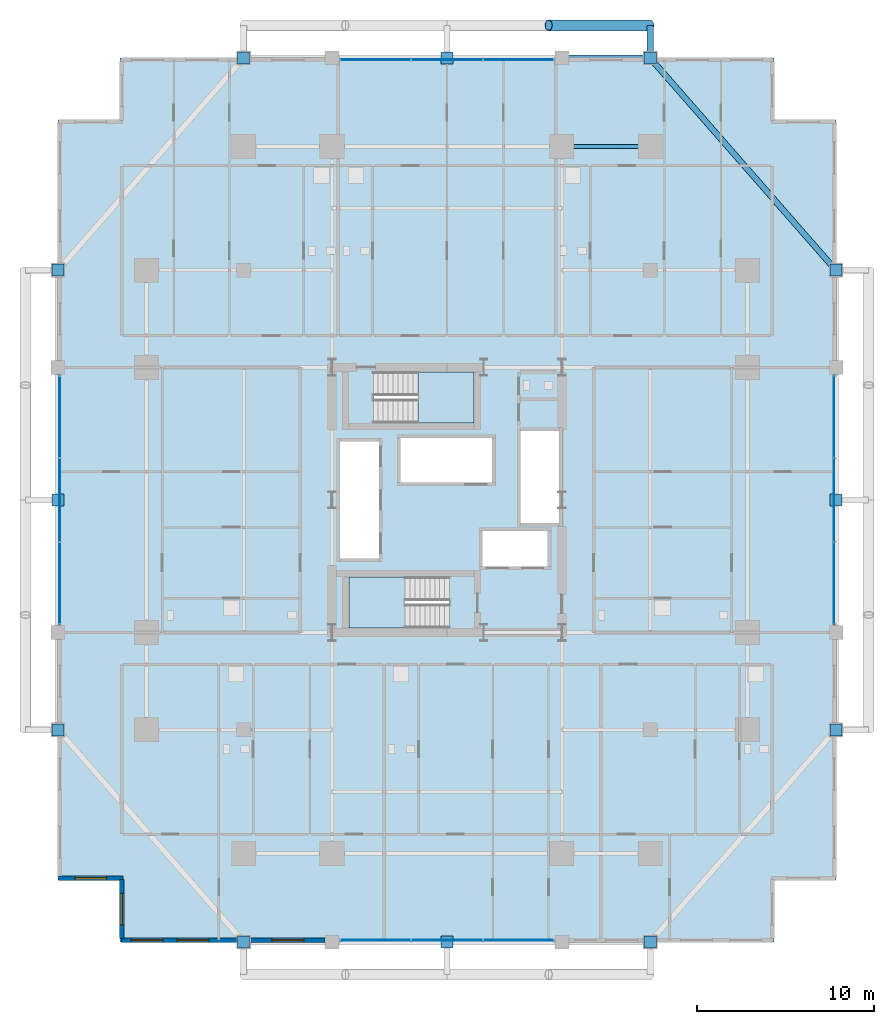
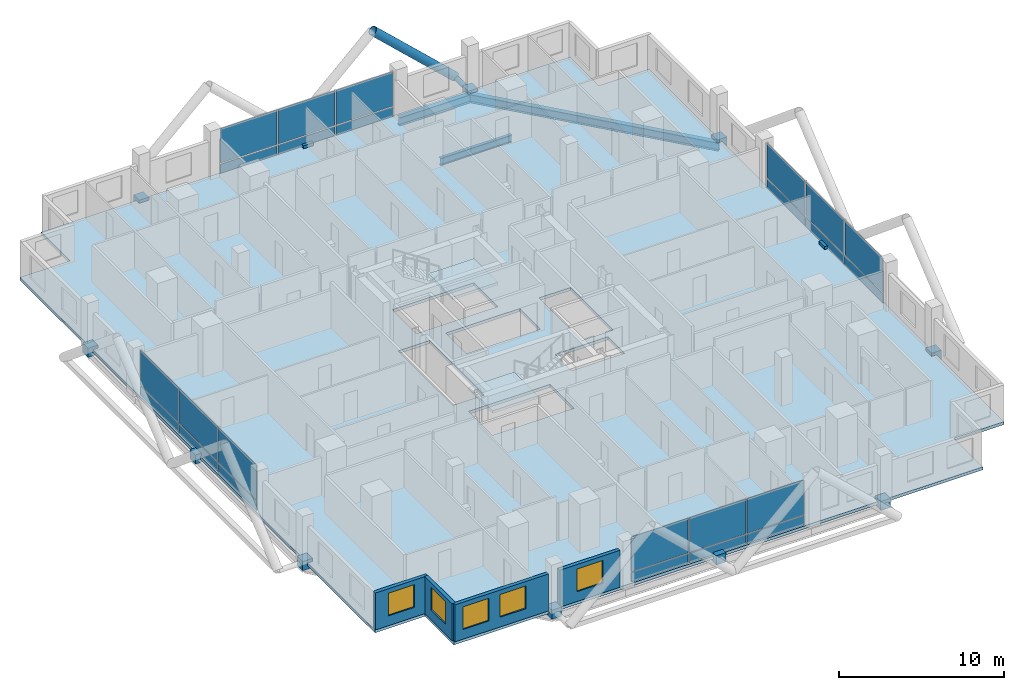
# One storey, part 20 of 28: 36 plates, 5 windows, 4 walls, 3 beams, 3 slabs, 2 members, 5 openings, 6 elements without a shape of their own.
"""IFC4 building model written with IfcOpenShell, lengths in metres."""

import ifcopenshell
import ifcopenshell.guid

model = None  # the IFC model being written
_history = None  # IfcOwnerHistory: only IFC2X3 demands one
_inside = {}  # id of a spatial element -> (the spatial element, [elements in it])
_under = {}  # id of a project, library or spatial element -> (it, [spatial elements below it])
_declared = {}  # id of a project -> (the project, [libraries it declares])
_typed = {}  # id of a type object -> (the type object, [elements of that type])
_made_of = {}  # id of a material, layer set ... -> (it, [elements and type objects made of it])


def new_model(schema):
    """Start an empty IFC model of exactly this schema.

    Asked for "IFC4X3", IfcOpenShell would pick the latest addendum, in which some entities
    have other attributes; the version numbers below select the first issue.
    IFC2X3 requires an IfcOwnerHistory on every rooted entity: one is made here for all.
    """
    global model, _history
    if schema == "IFC4X3":
        model = ifcopenshell.file(schema_version=(4, 3, 0, 0))
    else:
        model = ifcopenshell.file(schema=schema)
    _inside.clear()
    _under.clear()
    _declared.clear()
    _typed.clear()
    _made_of.clear()
    _history = None
    if model.schema == "IFC2X3":
        org = make("IfcOrganization", Name="unknown")
        user = make(
            "IfcPersonAndOrganization",
            ThePerson=make("IfcPerson", FamilyName="unknown"),
            TheOrganization=org,
        )
        app = make(
            "IfcApplication",
            ApplicationDeveloper=org,
            Version="unknown",
            ApplicationFullName="unknown",
            ApplicationIdentifier="unknown",
        )
        _history = make(
            "IfcOwnerHistory",
            OwningUser=user,
            OwningApplication=app,
            ChangeAction="ADDED",
            CreationDate=0,
        )
    return model


def make(cls, **values):
    """One entity of the class cls with the attributes given. An attribute that is None is left unset."""
    return model.create_entity(
        cls, **{name: value for name, value in values.items() if value is not None}
    )


def rooted(cls, **values):
    """An entity with a GlobalId (a new one), such as an element, a storey or a relation."""
    return make(cls, GlobalId=ifcopenshell.guid.new(), OwnerHistory=_history, **values)


def si_unit(unit_type, name, prefix=None):
    """IfcSIUnit, for example si_unit("LENGTHUNIT", "METRE", prefix="MILLI")."""
    return make("IfcSIUnit", UnitType=unit_type, Prefix=prefix, Name=name)


def assignment(units):
    """IfcUnitAssignment: the units of a project."""
    return None if units is None else make("IfcUnitAssignment", Units=units)


def point(xyz):
    """IfcCartesianPoint."""
    return None if xyz is None else make("IfcCartesianPoint", Coordinates=xyz)


def direction(xyz):
    """IfcDirection."""
    return None if xyz is None else make("IfcDirection", DirectionRatios=xyz)


def frame(location, z_axis=None, x_axis=None):
    """IfcAxis2Placement3D, a coordinate frame: its origin and axes. An axis left out is left unset."""
    return make(
        "IfcAxis2Placement3D",
        Location=point(location),
        Axis=direction(z_axis),
        RefDirection=direction(x_axis),
    )


def frame_2d(location, x_axis=None):
    """IfcAxis2Placement2D, a coordinate frame in the plane: its origin and x axis."""
    return make(
        "IfcAxis2Placement2D", Location=point(location), RefDirection=direction(x_axis)
    )


def origin():
    """The frame at (0, 0, 0) with its axes left unset."""
    return frame((0.0, 0.0, 0.0))


def origin_2d():
    """The frame at (0, 0) in the plane with its x axis left unset."""
    return frame_2d((0.0, 0.0))


def place(relative_to, where):
    """IfcLocalPlacement: puts the frame where relative to a parent placement (None: the world)."""
    return make(
        "IfcLocalPlacement", PlacementRelTo=relative_to, RelativePlacement=where
    )


def context(
    kind, dimensions, precision=None, world=None, true_north=None, identifier=None
):
    """IfcGeometricRepresentationContext, for example the 3D "Model" context."""
    return make(
        "IfcGeometricRepresentationContext",
        ContextIdentifier=identifier,
        ContextType=kind,
        CoordinateSpaceDimension=dimensions,
        Precision=precision,
        WorldCoordinateSystem=world,
        TrueNorth=true_north,
    )


def subcontext(parent, identifier, kind, view, scale=None):
    """IfcGeometricRepresentationSubContext, for example "Body" below "Model"."""
    return make(
        "IfcGeometricRepresentationSubContext",
        ContextIdentifier=identifier,
        ContextType=kind,
        ParentContext=parent,
        TargetScale=scale,
        TargetView=view,
    )


def project(units=None, contexts=None):
    """IfcProject with its units and contexts."""
    return rooted(
        "IfcProject",
        Name="project",
        RepresentationContexts=contexts,
        UnitsInContext=assignment(units),
    )


def spatial(cls, under=None, at=None, **own):
    """A site, building, storey or space (cls), placed at a placement, below another one or the project."""
    s = rooted(cls, ObjectPlacement=at, **own)
    if under is not None:
        _under.setdefault(under.id(), (under, []))[1].append(s)
    return s


def polyline(points):
    """IfcPolyline through the points."""
    return make("IfcPolyline", Points=[point(p) for p in points])


def profile(cls, at=None, kind="AREA", **sizes):
    """A parametric profile (cls). Its sizes go by their IFC names, for example OverallWidth=200.0."""
    return make(cls, ProfileType=kind, Position=at, **sizes)


def rectangle(**sizes):
    """IfcRectangleProfileDef."""
    return profile("IfcRectangleProfileDef", **sizes)


def hollow_circle(**sizes):
    """IfcCircleHollowProfileDef."""
    return profile("IfcCircleHollowProfileDef", **sizes)


def i_section(**sizes):
    """IfcIShapeProfileDef."""
    return profile("IfcIShapeProfileDef", **sizes)


def outline(outer, holes=None, kind="AREA"):
    """IfcArbitraryClosedProfileDef: a profile drawn as a closed curve; with holes, ...WithVoids."""
    if holes is None:
        return make("IfcArbitraryClosedProfileDef", ProfileType=kind, OuterCurve=outer)
    return make(
        "IfcArbitraryProfileDefWithVoids",
        ProfileType=kind,
        OuterCurve=outer,
        InnerCurves=holes,
    )


def extrude(swept, where, along, depth):
    """IfcExtrudedAreaSolid: the profile swept, set in the frame where, extruded along a direction by depth."""
    return make(
        "IfcExtrudedAreaSolid",
        SweptArea=swept,
        Position=where,
        ExtrudedDirection=direction(along),
        Depth=depth,
    )


def shape(context_of_items, identifier, shape_type, items):
    """IfcShapeRepresentation: the items that make up one representation, for example the "Body"."""
    return make(
        "IfcShapeRepresentation",
        ContextOfItems=context_of_items,
        RepresentationIdentifier=identifier,
        RepresentationType=shape_type,
        Items=items,
    )


def material(Name=None, Category=None):
    """IfcMaterial."""
    return make("IfcMaterial", Name=Name, Category=Category)


def layer(
    of_material, thickness, ventilated=None, Name=None, Category=None, Priority=None
):
    """IfcMaterialLayer: one layer of a wall or slab, of a material (None: an air gap)."""
    return make(
        "IfcMaterialLayer",
        Material=of_material,
        LayerThickness=thickness,
        IsVentilated=ventilated,
        Name=Name,
        Category=Category,
        Priority=Priority,
    )


def layer_set(layers, Name=None):
    """IfcMaterialLayerSet."""
    return make("IfcMaterialLayerSet", MaterialLayers=layers, LayerSetName=Name)


def material_profile(
    of_material, cross_section, Name=None, Category=None, Priority=None
):
    """IfcMaterialProfile: a cross section and its material."""
    return make(
        "IfcMaterialProfile",
        Name=Name,
        Material=of_material,
        Profile=cross_section,
        Priority=Priority,
        Category=Category,
    )


def profile_set(profiles, Name=None, composite=None):
    """IfcMaterialProfileSet."""
    return make(
        "IfcMaterialProfileSet",
        Name=Name,
        MaterialProfiles=profiles,
        CompositeProfile=composite,
    )


def made_of(thing, what):
    """Note that an element or type object is made of a material, layer set ...; save() writes the relation."""
    if what is not None:
        _made_of.setdefault(what.id(), (what, []))[1].append(thing)
    return thing


def type_object(cls, material=None, **own):
    """A type object (cls), such as IfcWallType, which elements share."""
    return made_of(rooted(cls, **own), material)


def element(
    cls,
    number,
    at=None,
    inside=None,
    cuts=None,
    type_object=None,
    material=None,
    context=None,
    identifier="Body",
    shape_type=None,
    held_by="IfcProductDefinitionShape",
    body=None,
    shapes=None,
    **own,
):
    """One element of the class cls, such as IfcWall. Its Tag is "e" and its number.

    at: its placement. inside: the storey or other place that contains it. cuts: it is an
    opening in that element (IfcRelVoidsElement). A single representation is given by context,
    identifier, shape_type and body (its items); several are given by shapes. held_by: the class
    of the entity that holds the representations. save() writes the other relations.
    """
    e = rooted(cls, Tag="e%d" % number, ObjectPlacement=at, **own)
    if body is not None:
        shapes = [shape(context, identifier, shape_type, body)]
    if shapes is not None:
        e.Representation = make(held_by, Representations=shapes)
    if inside is not None:
        _inside.setdefault(inside.id(), (inside, []))[1].append(e)
    if cuts is not None:
        rooted(
            "IfcRelVoidsElement", RelatingBuildingElement=cuts, RelatedOpeningElement=e
        )
    if type_object is not None:
        _typed.setdefault(type_object.id(), (type_object, []))[1].append(e)
    return made_of(e, material)


def fill(opening, filler):
    """IfcRelFillsElement: the door or window that sits in an opening."""
    return rooted(
        "IfcRelFillsElement",
        RelatingOpeningElement=opening,
        RelatedBuildingElement=filler,
    )


def aggregate(whole, parts):
    """IfcRelAggregates: a whole, such as a stair, and the parts it consists of."""
    return rooted("IfcRelAggregates", RelatingObject=whole, RelatedObjects=parts)


def save(model, path):
    """Write the relations noted so far, then the file.

    IfcRelAggregates (storeys below a building ...), IfcRelContainedInSpatialStructure (elements
    in a storey), IfcRelDefinesByType, IfcRelAssociatesMaterial and IfcRelDeclares: one each for
    every whole, place, type object, material and project.
    """
    for whole, parts in _under.values():
        aggregate(whole, parts)
    for where, things in _inside.values():
        rooted(
            "IfcRelContainedInSpatialStructure",
            RelatedElements=things,
            RelatingStructure=where,
        )
    for kind, things in _typed.values():
        rooted("IfcRelDefinesByType", RelatedObjects=things, RelatingType=kind)
    for what, things in _made_of.values():
        rooted("IfcRelAssociatesMaterial", RelatedObjects=things, RelatingMaterial=what)
    for by, libraries in _declared.values():
        rooted("IfcRelDeclares", RelatingContext=by, RelatedDefinitions=libraries)
    model.write(path)


model = new_model("IFC4")

# Units and contexts
model_context = context("Model", 3, precision=1e-05, world=origin(), true_north=direction((0.0, 1.0)))
body_context = subcontext(model_context, "Body", "Model", "MODEL_VIEW")
ifc_project = project(units=[si_unit("LENGTHUNIT", "METRE"), si_unit("AREAUNIT", "SQUARE_METRE"), si_unit("VOLUMEUNIT", "CUBIC_METRE"), si_unit("PLANEANGLEUNIT", "RADIAN"), si_unit("MASSUNIT", "GRAM", prefix="KILO")], contexts=[model_context])

# Site, building, storey
site_placement = place(None, origin())
site = spatial("IfcSite", under=ifc_project, at=site_placement, CompositionType="ELEMENT")
building_placement = place(site_placement, origin())
building = spatial("IfcBuilding", under=site, at=building_placement, Name="Barlavira Tower and Art Museum", CompositionType="ELEMENT")
storey_placement = place(building_placement, frame((0.0, 0.0, 39.60009765625)))
storey = spatial("IfcBuildingStorey", under=building, at=storey_placement, Name="L08", CompositionType="ELEMENT", Elevation=39.60009765625)

# Members
ifc_material_1 = material(Name="Steel S355", Category="steel")
ifc_material_profile_1 = material_profile(ifc_material_1, hollow_circle(Radius=0.304931640625, WallThickness=0.028076171875, at=origin_2d()), Name="CHS 610.0x28.0")
ifc_profile_set_1 = profile_set([ifc_material_profile_1], Name="Steel S355")
member_type_1 = type_object("IfcMemberType", Name="Pale-Metal Exoskeleton Diagrid Tube CHS 610x28 Steel S355", PredefinedType="BRACE", material=ifc_profile_set_1)
member_1_placement = place(storey_placement, frame((11.5, 26.85009765625, -0.1201171875), z_axis=(-0.728950095515, 0.0, 0.684566839869), x_axis=(0.0, -1.0, 0.0)))
element("IfcMember", 1, at=member_1_placement, inside=storey, type_object=member_type_1, Name="L08 Exoskeleton Diagrid Tube N", PredefinedType="BRACE", context=body_context, shape_type="SweptSolid", body=[
    extrude(hollow_circle(Radius=0.304931640625, WallThickness=0.028076171875, at=origin_2d()), origin(), (0.0, 0.0, 1.0), 7.887939453125),
])
ifc_material_profile_2 = material_profile(ifc_material_1, hollow_circle(Radius=0.177734375, WallThickness=0.01611328125, at=origin_2d()), Name="CHS 355.6x16.0")
ifc_profile_set_2 = profile_set([ifc_material_profile_2], Name="Steel S355")
member_type_2 = type_object("IfcMemberType", Name="Pale-Metal Exoskeleton Tie Strut CHS 356x16 Steel S355", PredefinedType="STRUT", material=ifc_profile_set_2)
member_2_placement = place(storey_placement, frame((11.5, 26.85009765625, -0.1201171875), z_axis=(0.0, -1.0, 0.0), x_axis=(1.0, 0.0, 0.0)))
element("IfcMember", 2, at=member_2_placement, inside=storey, type_object=member_type_2, Name="L08 Exoskeleton Tie Strut N3", PredefinedType="STRUT", context=body_context, shape_type="SweptSolid", body=[
    extrude(hollow_circle(Radius=0.177734375, WallThickness=0.01611328125, at=origin_2d()), origin(), (0.0, 0.0, 1.0), 1.85009765625),
])

# Beams
ifc_material_profile_3 = material_profile(ifc_material_1, i_section(OverallWidth=0.327880859375, OverallDepth=0.62890625, WebThickness=0.013916015625, FlangeThickness=0.021484375, at=origin_2d()), Name="W610x174.0")
ifc_profile_set_3 = profile_set([ifc_material_profile_3], Name="Steel S355")
beam_type_1 = type_object("IfcBeamType", Name="Perimeter Spandrel Edge Beam W610x174 Steel S355", PredefinedType="SPANDREL", material=ifc_profile_set_3)
beam_1_placement = place(storey_placement, frame((22.0, 13.0, -0.53466796875), z_axis=(-0.658504607869, 0.752576694707, 0.0), x_axis=(-0.752576694707, -0.658504607869, 0.0)))
element("IfcBeam", 3, at=beam_1_placement, inside=storey, type_object=beam_type_1, Name="L08 Spandrel 8", PredefinedType="SPANDREL", context=body_context, shape_type="SweptSolid", body=[
    extrude(i_section(OverallWidth=0.327880859375, OverallDepth=0.62890625, WebThickness=0.013916015625, FlangeThickness=0.021484375, at=origin_2d()), origin(), (0.0, 0.0, 1.0), 15.9453125),
])
beam_2_placement = place(storey_placement, frame((6.5, 25.0, -0.53466796875), z_axis=(1.0, 0.0, 0.0), x_axis=(0.0, 1.0, 0.0)))
element("IfcBeam", 4, at=beam_2_placement, inside=storey, type_object=beam_type_1, Name="L08 Spandrel 9", PredefinedType="SPANDREL", context=body_context, shape_type="SweptSolid", body=[
    extrude(i_section(OverallWidth=0.327880859375, OverallDepth=0.62890625, WebThickness=0.013916015625, FlangeThickness=0.021484375, at=origin_2d()), origin(), (0.0, 0.0, 1.0), 5.0),
])
ifc_material_profile_4 = material_profile(ifc_material_1, i_section(OverallWidth=0.214111328125, OverallDepth=0.549072265625, WebThickness=0.0146484375, FlangeThickness=0.023681640625, at=origin_2d()), Name="W530x138.0")
ifc_profile_set_4 = profile_set([ifc_material_profile_4], Name="Steel S355")
beam_type_2 = type_object("IfcBeamType", Name="Zone 1 Primary Floor Girder W530x138 Steel S355", PredefinedType="BEAM", material=ifc_profile_set_4)
beam_3_placement = place(storey_placement, frame((6.5, 20.0, -0.49462890625), z_axis=(1.0, 0.0, 0.0), x_axis=(0.0, 1.0, 0.0)))
element("IfcBeam", 5, at=beam_3_placement, inside=storey, type_object=beam_type_2, Name="L08 Girder M-N3", PredefinedType="BEAM", context=body_context, shape_type="SweptSolid", body=[
    extrude(i_section(OverallWidth=0.214111328125, OverallDepth=0.549072265625, WebThickness=0.0146484375, FlangeThickness=0.023681640625, at=origin_2d()), origin(), (0.0, 0.0, 1.0), 5.0),
])

# Curtain wall, plates
ifc_material_2 = material(Name="Low-iron coastal laminated glass", Category="glass")
ifc_layer_1 = layer(ifc_material_2, 0.179931640625, Name="Low-iron coastal laminated glass")
ifc_layer_set_1 = layer_set([ifc_layer_1], Name="Low-iron coastal laminated glass")
curtain_wall_type = type_object("IfcCurtainWallType", Name="Pale-Metal Unitised Curtain Wall Zone 1", PredefinedType="NOTDEFINED", material=ifc_layer_set_1)
curtain_wall_1_placement = place(storey_placement, origin())
curtain_wall_1 = element("IfcCurtainWall", 6, at=curtain_wall_1_placement, inside=storey, type_object=curtain_wall_type, Name="L08 Curtain Wall CW1-L08-S-B3", PredefinedType="NOTDEFINED")
ifc_material_3 = material(Name="Pale anodised aluminium", Category="aluminium")
ifc_layer_2 = layer(ifc_material_3, 0.044921875, Name="Pale anodised aluminium")
ifc_layer_set_2 = layer_set([ifc_layer_2], Name="Pale anodised aluminium")
plate_type_1 = type_object("IfcPlateType", Name="Curtain Wall Pale-Metal Spandrel Panel 45", PredefinedType="CURTAIN_PANEL", material=ifc_layer_set_2)
plate_1_placement = place(storey_placement, frame((-4.05322265625, -24.89990234375, 0.039794921875), z_axis=(0.0, 0.0, 1.0), x_axis=(1.0, 0.0, 0.0)))
plate_1 = element("IfcPlate", 7, at=plate_1_placement, type_object=plate_type_1, Name="CW1-L08-S-B3 Spandrel Panel 0", PredefinedType="CURTAIN_PANEL", context=body_context, shape_type="SweptSolid", body=[
    extrude(rectangle(XDim=3.953369140625, YDim=0.044921875, at=origin_2d()), origin(), (0.0, 0.0, 1.0), 0.6640625),
])
plate_2_placement = place(storey_placement, frame((0.0, -24.89990234375, 0.039794921875), z_axis=(0.0, 0.0, 1.0), x_axis=(1.0, 0.0, 0.0)))
plate_2 = element("IfcPlate", 8, at=plate_2_placement, type_object=plate_type_1, Name="CW1-L08-S-B3 Spandrel Panel 1", PredefinedType="CURTAIN_PANEL", context=body_context, shape_type="SweptSolid", body=[
    extrude(rectangle(XDim=3.953369140625, YDim=0.044921875, at=origin_2d()), origin(), (0.0, 0.0, 1.0), 0.6640625),
])
plate_3_placement = place(storey_placement, frame((4.05322265625, -24.89990234375, 0.039794921875), z_axis=(0.0, 0.0, 1.0), x_axis=(1.0, 0.0, 0.0)))
plate_3 = element("IfcPlate", 9, at=plate_3_placement, type_object=plate_type_1, Name="CW1-L08-S-B3 Spandrel Panel 2", PredefinedType="CURTAIN_PANEL", context=body_context, shape_type="SweptSolid", body=[
    extrude(rectangle(XDim=3.953369140625, YDim=0.044921875, at=origin_2d()), origin(), (0.0, 0.0, 1.0), 0.6640625),
])

curtain_wall_2_placement = place(storey_placement, origin())
curtain_wall_2 = element("IfcCurtainWall", 10, at=curtain_wall_2_placement, inside=storey, type_object=curtain_wall_type, Name="L08 Curtain Wall CW1-L08-N-B3", PredefinedType="NOTDEFINED")
plate_4_placement = place(storey_placement, frame((4.05322265625, 24.89990234375, 0.039794921875), z_axis=(0.0, 0.0, 1.0), x_axis=(-1.0, 0.0, 0.0)))
plate_4 = element("IfcPlate", 11, at=plate_4_placement, type_object=plate_type_1, Name="CW1-L08-N-B3 Spandrel Panel 0", PredefinedType="CURTAIN_PANEL", context=body_context, shape_type="SweptSolid", body=[
    extrude(rectangle(XDim=3.953369140625, YDim=0.044921875, at=origin_2d()), origin(), (0.0, 0.0, 1.0), 0.6640625),
])
plate_5_placement = place(storey_placement, frame((0.0, 24.89990234375, 0.039794921875), z_axis=(0.0, 0.0, 1.0), x_axis=(-1.0, 0.0, 0.0)))
plate_5 = element("IfcPlate", 12, at=plate_5_placement, type_object=plate_type_1, Name="CW1-L08-N-B3 Spandrel Panel 1", PredefinedType="CURTAIN_PANEL", context=body_context, shape_type="SweptSolid", body=[
    extrude(rectangle(XDim=3.953369140625, YDim=0.044921875, at=origin_2d()), origin(), (0.0, 0.0, 1.0), 0.6640625),
])
plate_6_placement = place(storey_placement, frame((-4.05322265625, 24.89990234375, 0.039794921875), z_axis=(0.0, 0.0, 1.0), x_axis=(-1.0, 0.0, 0.0)))
plate_6 = element("IfcPlate", 13, at=plate_6_placement, type_object=plate_type_1, Name="CW1-L08-N-B3 Spandrel Panel 2", PredefinedType="CURTAIN_PANEL", context=body_context, shape_type="SweptSolid", body=[
    extrude(rectangle(XDim=3.953369140625, YDim=0.044921875, at=origin_2d()), origin(), (0.0, 0.0, 1.0), 0.6640625),
])

curtain_wall_3_placement = place(storey_placement, origin())
curtain_wall_3 = element("IfcCurtainWall", 14, at=curtain_wall_3_placement, inside=storey, type_object=curtain_wall_type, Name="L08 Curtain Wall CW1-L08-W-B3", PredefinedType="NOTDEFINED")
plate_7_placement = place(storey_placement, frame((-21.89990234375, 4.719970703125, 0.039794921875), z_axis=(0.0, 0.0, 1.0), x_axis=(0.0, -1.0, 0.0)))
plate_7 = element("IfcPlate", 15, at=plate_7_placement, type_object=plate_type_1, Name="CW1-L08-W-B3 Spandrel Panel 0", PredefinedType="CURTAIN_PANEL", context=body_context, shape_type="SweptSolid", body=[
    extrude(rectangle(XDim=4.6201171875, YDim=0.044921875, at=origin_2d()), origin(), (0.0, 0.0, 1.0), 0.6640625),
])
plate_8_placement = place(storey_placement, frame((-21.89990234375, 0.0, 0.039794921875), z_axis=(0.0, 0.0, 1.0), x_axis=(0.0, -1.0, 0.0)))
plate_8 = element("IfcPlate", 16, at=plate_8_placement, type_object=plate_type_1, Name="CW1-L08-W-B3 Spandrel Panel 1", PredefinedType="CURTAIN_PANEL", context=body_context, shape_type="SweptSolid", body=[
    extrude(rectangle(XDim=4.6201171875, YDim=0.044921875, at=origin_2d()), origin(), (0.0, 0.0, 1.0), 0.6640625),
])
plate_9_placement = place(storey_placement, frame((-21.89990234375, -4.719970703125, 0.039794921875), z_axis=(0.0, 0.0, 1.0), x_axis=(0.0, -1.0, 0.0)))
plate_9 = element("IfcPlate", 17, at=plate_9_placement, type_object=plate_type_1, Name="CW1-L08-W-B3 Spandrel Panel 2", PredefinedType="CURTAIN_PANEL", context=body_context, shape_type="SweptSolid", body=[
    extrude(rectangle(XDim=4.6201171875, YDim=0.044921875, at=origin_2d()), origin(), (0.0, 0.0, 1.0), 0.6640625),
])

curtain_wall_4_placement = place(storey_placement, origin())
curtain_wall_4 = element("IfcCurtainWall", 18, at=curtain_wall_4_placement, inside=storey, type_object=curtain_wall_type, Name="L08 Curtain Wall CW1-L08-E-B3", PredefinedType="NOTDEFINED")
plate_10_placement = place(storey_placement, frame((21.89990234375, -4.719970703125, 0.039794921875), z_axis=(0.0, 0.0, 1.0), x_axis=(0.0, 1.0, 0.0)))
plate_10 = element("IfcPlate", 19, at=plate_10_placement, type_object=plate_type_1, Name="CW1-L08-E-B3 Spandrel Panel 0", PredefinedType="CURTAIN_PANEL", context=body_context, shape_type="SweptSolid", body=[
    extrude(rectangle(XDim=4.6201171875, YDim=0.044921875, at=origin_2d()), origin(), (0.0, 0.0, 1.0), 0.6640625),
])
plate_11_placement = place(storey_placement, frame((21.89990234375, 0.0, 0.039794921875), z_axis=(0.0, 0.0, 1.0), x_axis=(0.0, 1.0, 0.0)))
plate_11 = element("IfcPlate", 20, at=plate_11_placement, type_object=plate_type_1, Name="CW1-L08-E-B3 Spandrel Panel 1", PredefinedType="CURTAIN_PANEL", context=body_context, shape_type="SweptSolid", body=[
    extrude(rectangle(XDim=4.6201171875, YDim=0.044921875, at=origin_2d()), origin(), (0.0, 0.0, 1.0), 0.6640625),
])
plate_12_placement = place(storey_placement, frame((21.89990234375, 4.719970703125, 0.039794921875), z_axis=(0.0, 0.0, 1.0), x_axis=(0.0, 1.0, 0.0)))
plate_12 = element("IfcPlate", 21, at=plate_12_placement, type_object=plate_type_1, Name="CW1-L08-E-B3 Spandrel Panel 2", PredefinedType="CURTAIN_PANEL", context=body_context, shape_type="SweptSolid", body=[
    extrude(rectangle(XDim=4.6201171875, YDim=0.044921875, at=origin_2d()), origin(), (0.0, 0.0, 1.0), 0.6640625),
])

# Plate
ifc_layer_3 = layer(ifc_material_2, 0.028076171875, Name="Low-iron coastal laminated glass")
ifc_layer_set_3 = layer_set([ifc_layer_3], Name="Low-iron coastal laminated glass")
plate_type_2 = type_object("IfcPlateType", Name="Curtain Wall Vision Glazing Panel 28", PredefinedType="CURTAIN_PANEL", material=ifc_layer_set_3)
plate_13_placement = place(storey_placement, frame((-4.05322265625, -24.89990234375, 0.7841796875), z_axis=(0.0, 0.0, 1.0), x_axis=(1.0, 0.0, 0.0)))
plate_13 = element("IfcPlate", 22, at=plate_13_placement, type_object=plate_type_2, Name="CW1-L08-S-B3 Vision Glass Panel 0", PredefinedType="CURTAIN_PANEL", context=body_context, shape_type="SweptSolid", body=[
    extrude(rectangle(XDim=3.953369140625, YDim=0.028076171875, at=origin_2d()), origin(), (0.0, 0.0, 1.0), 2.555908203125),
])

plate_14_placement = place(storey_placement, frame((0.0, -24.89990234375, 0.7841796875), z_axis=(0.0, 0.0, 1.0), x_axis=(1.0, 0.0, 0.0)))
plate_14 = element("IfcPlate", 23, at=plate_14_placement, type_object=plate_type_2, Name="CW1-L08-S-B3 Vision Glass Panel 1", PredefinedType="CURTAIN_PANEL", context=body_context, shape_type="SweptSolid", body=[
    extrude(rectangle(XDim=3.953369140625, YDim=0.028076171875, at=origin_2d()), origin(), (0.0, 0.0, 1.0), 2.555908203125),
])

plate_15_placement = place(storey_placement, frame((4.05322265625, -24.89990234375, 0.7841796875), z_axis=(0.0, 0.0, 1.0), x_axis=(1.0, 0.0, 0.0)))
plate_15 = element("IfcPlate", 24, at=plate_15_placement, type_object=plate_type_2, Name="CW1-L08-S-B3 Vision Glass Panel 2", PredefinedType="CURTAIN_PANEL", context=body_context, shape_type="SweptSolid", body=[
    extrude(rectangle(XDim=3.953369140625, YDim=0.028076171875, at=origin_2d()), origin(), (0.0, 0.0, 1.0), 2.555908203125),
])

aggregate(curtain_wall_1, [plate_1, plate_13, plate_2, plate_14, plate_3, plate_15])

plate_16_placement = place(storey_placement, frame((4.05322265625, 24.89990234375, 0.7841796875), z_axis=(0.0, 0.0, 1.0), x_axis=(-1.0, 0.0, 0.0)))
plate_16 = element("IfcPlate", 25, at=plate_16_placement, type_object=plate_type_2, Name="CW1-L08-N-B3 Vision Glass Panel 0", PredefinedType="CURTAIN_PANEL", context=body_context, shape_type="SweptSolid", body=[
    extrude(rectangle(XDim=3.953369140625, YDim=0.028076171875, at=origin_2d()), origin(), (0.0, 0.0, 1.0), 2.555908203125),
])

plate_17_placement = place(storey_placement, frame((0.0, 24.89990234375, 0.7841796875), z_axis=(0.0, 0.0, 1.0), x_axis=(-1.0, 0.0, 0.0)))
plate_17 = element("IfcPlate", 26, at=plate_17_placement, type_object=plate_type_2, Name="CW1-L08-N-B3 Vision Glass Panel 1", PredefinedType="CURTAIN_PANEL", context=body_context, shape_type="SweptSolid", body=[
    extrude(rectangle(XDim=3.953369140625, YDim=0.028076171875, at=origin_2d()), origin(), (0.0, 0.0, 1.0), 2.555908203125),
])

plate_18_placement = place(storey_placement, frame((-4.05322265625, 24.89990234375, 0.7841796875), z_axis=(0.0, 0.0, 1.0), x_axis=(-1.0, 0.0, 0.0)))
plate_18 = element("IfcPlate", 27, at=plate_18_placement, type_object=plate_type_2, Name="CW1-L08-N-B3 Vision Glass Panel 2", PredefinedType="CURTAIN_PANEL", context=body_context, shape_type="SweptSolid", body=[
    extrude(rectangle(XDim=3.953369140625, YDim=0.028076171875, at=origin_2d()), origin(), (0.0, 0.0, 1.0), 2.555908203125),
])

aggregate(curtain_wall_2, [plate_4, plate_16, plate_5, plate_17, plate_6, plate_18])

plate_19_placement = place(storey_placement, frame((-21.89990234375, 4.719970703125, 0.7841796875), z_axis=(0.0, 0.0, 1.0), x_axis=(0.0, -1.0, 0.0)))
plate_19 = element("IfcPlate", 28, at=plate_19_placement, type_object=plate_type_2, Name="CW1-L08-W-B3 Vision Glass Panel 0", PredefinedType="CURTAIN_PANEL", context=body_context, shape_type="SweptSolid", body=[
    extrude(rectangle(XDim=4.6201171875, YDim=0.028076171875, at=origin_2d()), origin(), (0.0, 0.0, 1.0), 2.555908203125),
])

plate_20_placement = place(storey_placement, frame((-21.89990234375, 0.0, 0.7841796875), z_axis=(0.0, 0.0, 1.0), x_axis=(0.0, -1.0, 0.0)))
plate_20 = element("IfcPlate", 29, at=plate_20_placement, type_object=plate_type_2, Name="CW1-L08-W-B3 Vision Glass Panel 1", PredefinedType="CURTAIN_PANEL", context=body_context, shape_type="SweptSolid", body=[
    extrude(rectangle(XDim=4.6201171875, YDim=0.028076171875, at=origin_2d()), origin(), (0.0, 0.0, 1.0), 2.555908203125),
])

plate_21_placement = place(storey_placement, frame((-21.89990234375, -4.719970703125, 0.7841796875), z_axis=(0.0, 0.0, 1.0), x_axis=(0.0, -1.0, 0.0)))
plate_21 = element("IfcPlate", 30, at=plate_21_placement, type_object=plate_type_2, Name="CW1-L08-W-B3 Vision Glass Panel 2", PredefinedType="CURTAIN_PANEL", context=body_context, shape_type="SweptSolid", body=[
    extrude(rectangle(XDim=4.6201171875, YDim=0.028076171875, at=origin_2d()), origin(), (0.0, 0.0, 1.0), 2.555908203125),
])

aggregate(curtain_wall_3, [plate_7, plate_19, plate_8, plate_20, plate_9, plate_21])

plate_22_placement = place(storey_placement, frame((21.89990234375, -4.719970703125, 0.7841796875), z_axis=(0.0, 0.0, 1.0), x_axis=(0.0, 1.0, 0.0)))
plate_22 = element("IfcPlate", 31, at=plate_22_placement, type_object=plate_type_2, Name="CW1-L08-E-B3 Vision Glass Panel 0", PredefinedType="CURTAIN_PANEL", context=body_context, shape_type="SweptSolid", body=[
    extrude(rectangle(XDim=4.6201171875, YDim=0.028076171875, at=origin_2d()), origin(), (0.0, 0.0, 1.0), 2.555908203125),
])

plate_23_placement = place(storey_placement, frame((21.89990234375, 0.0, 0.7841796875), z_axis=(0.0, 0.0, 1.0), x_axis=(0.0, 1.0, 0.0)))
plate_23 = element("IfcPlate", 32, at=plate_23_placement, type_object=plate_type_2, Name="CW1-L08-E-B3 Vision Glass Panel 1", PredefinedType="CURTAIN_PANEL", context=body_context, shape_type="SweptSolid", body=[
    extrude(rectangle(XDim=4.6201171875, YDim=0.028076171875, at=origin_2d()), origin(), (0.0, 0.0, 1.0), 2.555908203125),
])

plate_24_placement = place(storey_placement, frame((21.89990234375, 4.719970703125, 0.7841796875), z_axis=(0.0, 0.0, 1.0), x_axis=(0.0, 1.0, 0.0)))
plate_24 = element("IfcPlate", 33, at=plate_24_placement, type_object=plate_type_2, Name="CW1-L08-E-B3 Vision Glass Panel 2", PredefinedType="CURTAIN_PANEL", context=body_context, shape_type="SweptSolid", body=[
    extrude(rectangle(XDim=4.6201171875, YDim=0.028076171875, at=origin_2d()), origin(), (0.0, 0.0, 1.0), 2.555908203125),
])

aggregate(curtain_wall_4, [plate_10, plate_22, plate_11, plate_23, plate_12, plate_24])

# Plates
ifc_layer_4 = layer(ifc_material_1, 0.679931640625, Name="Steel S355")
ifc_layer_set_4 = layer_set([ifc_layer_4], Name="Steel S355")
plate_type_3 = type_object("IfcPlateType", Name="Exoskeleton Tie-Back Solid Cap Plate Assembly Type 5 Steel S355", PredefinedType="USERDEFINED", material=ifc_layer_set_4)
for number, where, z_axis, x_axis, name in (
    (34, (-11.5, -25.0, -0.4599609375), (0.0, 0.0, 1.0), (1.0, 0.0, 0.0), "Slab Edge Tie Cap Plate S1 ND-L08-0050"),
    (35, (0.0, -25.0, -0.4599609375), (0.0, 0.0, 1.0), (1.0, 0.0, 0.0), "Slab Edge Tie Cap Plate S2 ND-L08-0051"),
    (36, (11.5, -25.0, -0.4599609375), (0.0, 0.0, 1.0), (1.0, 0.0, 0.0), "Slab Edge Tie Cap Plate S3 ND-L08-0052"),
    (37, (-11.5, 25.0, -0.4599609375), (0.0, 0.0, 1.0), (1.0, 0.0, 0.0), "Slab Edge Tie Cap Plate N1 ND-L08-0058"),
    (38, (0.0, 25.0, -0.4599609375), (0.0, 0.0, 1.0), (1.0, 0.0, 0.0), "Slab Edge Tie Cap Plate N2 ND-L08-0059"),
    (39, (11.5, 25.0, -0.4599609375), (0.0, 0.0, 1.0), (1.0, 0.0, 0.0), "Slab Edge Tie Cap Plate N3 ND-L08-0060"),
    (40, (-22.0, -13.0, -0.4599609375), (0.0, 0.0, 1.0), (1.0, 0.0, 0.0), "Slab Edge Tie Cap Plate W1 ND-L08-0066"),
    (41, (-22.0, 0.0, -0.4599609375), (0.0, 0.0, 1.0), (1.0, 0.0, 0.0), "Slab Edge Tie Cap Plate W2 ND-L08-0067"),
    (42, (-22.0, 13.0, -0.4599609375), (0.0, 0.0, 1.0), (1.0, 0.0, 0.0), "Slab Edge Tie Cap Plate W3 ND-L08-0068"),
    (43, (22.0, -13.0, -0.4599609375), (0.0, 0.0, 1.0), (1.0, 0.0, 0.0), "Slab Edge Tie Cap Plate E1 ND-L08-0074"),
    (44, (22.0, 0.0, -0.4599609375), (0.0, 0.0, 1.0), (1.0, 0.0, 0.0), "Slab Edge Tie Cap Plate E2 ND-L08-0075"),
    (45, (22.0, 13.0, -0.4599609375), (0.0, 0.0, 1.0), (1.0, 0.0, 0.0), "Slab Edge Tie Cap Plate E3 ND-L08-0076"),
):
    element("IfcPlate", number, at=place(storey_placement, frame(where, z_axis=z_axis, x_axis=x_axis)), inside=storey, type_object=plate_type_3, Name=name, ObjectType="FLANGE_PLATE", PredefinedType="USERDEFINED", context=body_context, shape_type="SweptSolid", body=[
        extrude(rectangle(XDim=0.679931640625, YDim=0.679931640625, at=origin_2d()), origin(), (0.0, 0.0, 1.0), 0.679931640625),
    ])

# Stair, slab
ifc_material_4 = material(Name="Concrete C45", Category="concrete")
stair_type_1 = type_object("IfcStairType", Name="Tower North Dog-Leg Exit Stair Assembly Concrete C45", PredefinedType="TWO_QUARTER_TURN_STAIR", material=ifc_material_4)
stair_1_placement = place(storey_placement, origin())
stair_1 = element("IfcStair", 46, at=stair_1_placement, inside=storey, type_object=stair_type_1, Name="L08 Tower North Exit Stair ST-T2", PredefinedType="TWO_QUARTER_TURN_STAIR")
ifc_layer_5 = layer(ifc_material_4, 0.199951171875, Name="Concrete C45")
ifc_layer_set_5 = layer_set([ifc_layer_5], Name="Concrete C45")
slab_type_1 = type_object("IfcSlabType", Name="Tower North Dog-Leg Exit Stair Half-Landing Slab 200 Concrete C45", PredefinedType="LANDING", material=ifc_layer_set_5)
slab_1_placement = place(storey_placement, frame((0.0, 0.0, 1.599853515625)))
slab_1 = element("IfcSlab", 47, at=slab_1_placement, type_object=slab_type_1, Name="ST-T2 landing 1", PredefinedType="LANDING", context=body_context, shape_type="SweptSolid", body=[
    extrude(outline(polyline([(-1.64990234375, 4.35009765625), (1.530029296875, 4.35009765625), (1.530029296875, 7.25), (-1.64990234375, 7.25), (-1.64990234375, 4.35009765625)])), origin(), (0.0, 0.0, 1.0), 0.199951171875),
])
aggregate(stair_1, [slab_1])

stair_type_2 = type_object("IfcStairType", Name="Tower South Dog-Leg Exit Stair Assembly Concrete C45", PredefinedType="TWO_QUARTER_TURN_STAIR", material=ifc_material_4)
stair_2_placement = place(storey_placement, origin())
stair_2 = element("IfcStair", 48, at=stair_2_placement, inside=storey, type_object=stair_type_2, Name="L08 Tower South Exit Stair ST-T1", PredefinedType="TWO_QUARTER_TURN_STAIR")
ifc_layer_6 = layer(ifc_material_4, 0.199951171875, Name="Concrete C45")
ifc_layer_set_6 = layer_set([ifc_layer_6], Name="Concrete C45")
slab_type_2 = type_object("IfcSlabType", Name="Tower South Dog-Leg Exit Stair Half-Landing Slab 200 Concrete C45", PredefinedType="LANDING", material=ifc_layer_set_6)
slab_2_placement = place(storey_placement, frame((0.0, 0.0, 1.599853515625)))
slab_2 = element("IfcSlab", 49, at=slab_2_placement, type_object=slab_type_2, Name="ST-T1 landing 1", PredefinedType="LANDING", context=body_context, shape_type="SweptSolid", body=[
    extrude(outline(polyline([(-2.3701171875, -4.35009765625), (-5.550048828125, -4.35009765625), (-5.550048828125, -7.25), (-2.3701171875, -7.25), (-2.3701171875, -4.35009765625)])), origin(), (0.0, 0.0, 1.0), 0.199951171875),
])
aggregate(stair_2, [slab_2])

# Slab
ifc_material_5 = material(Name="Concrete C50", Category="concrete")
ifc_layer_7 = layer(ifc_material_5, 0.219970703125, Name="Concrete C50")
ifc_layer_set_7 = layer_set([ifc_layer_7], Name="Concrete C50")
slab_type_3 = type_object("IfcSlabType", Name="Zone 1 Residential Composite Slab 220 Concrete C50", PredefinedType="FLOOR", material=ifc_layer_set_7)
slab_3_placement = place(storey_placement, frame((0.0, 0.0, -0.22021484375)))
element("IfcSlab", 50, at=slab_3_placement, inside=storey, type_object=slab_type_3, Name="L08 Tower Floor Slab", PredefinedType="FLOOR", context=body_context, shape_type="SweptSolid", body=[
    extrude(outline(polyline([(-18.5, -25.0), (18.5, -25.0), (18.5, -21.5), (22.0, -21.5), (22.0, 21.5), (18.5, 21.5), (18.5, 25.0), (-18.5, 25.0), (-18.5, 21.5), (-22.0, 21.5), (-22.0, -21.5), (-18.5, -21.5), (-18.5, -25.0)]), holes=[polyline([(0.14990234375, -4.35009765625), (-5.550048828125, -4.35009765625), (-5.550048828125, -7.25), (0.14990234375, -7.25), (0.14990234375, -4.35009765625)]), polyline([(-4.169921875, 4.35009765625), (1.530029296875, 4.35009765625), (1.530029296875, 7.25), (-4.169921875, 7.25), (-4.169921875, 4.35009765625)]), polyline([(-6.050048828125, -3.31005859375), (-3.85009765625, -3.31005859375), (-3.85009765625, 3.31005859375), (-6.050048828125, 3.31005859375), (-6.050048828125, -3.31005859375)]), polyline([(4.14990234375, -1.2900390625), (6.35009765625, -1.2900390625), (6.35009765625, 3.889892578125), (4.14990234375, 3.889892578125), (4.14990234375, -1.2900390625)]), polyline([(-2.6201171875, 1.0), (2.56005859375, 1.0), (2.56005859375, 3.5), (-2.6201171875, 3.5), (-2.6201171875, 1.0)]), polyline([(2.0, -3.75), (5.699951171875, -3.75), (5.699951171875, -1.75), (2.0, -1.75), (2.0, -3.75)])]), origin(), (0.0, 0.0, 1.0), 0.22021484375),
])

# Wall, openings, windows
ifc_material_6 = material(Name="Precast concrete C40", Category="concrete")
ifc_layer_8 = layer(ifc_material_6, 0.25, Name="Precast concrete C40")
ifc_layer_set_8 = layer_set([ifc_layer_8], Name="Precast concrete C40")
wall_type = type_object("IfcWallType", Name="Notched Corner Spandrel Wall 250 Precast Concrete C40", PredefinedType="SOLIDWALL", material=ifc_layer_set_8)
wall_1_placement = place(storey_placement, frame((-18.425048828125, -24.89990234375, 0.0), z_axis=(0.0, 0.0, 1.0), x_axis=(1.0, 0.0, 0.0)))
wall_1 = element("IfcWall", 51, at=wall_1_placement, inside=storey, type_object=wall_type, Name="L08 Coastal Facade Pier Wall CW1-L08-S-1", PredefinedType="SOLIDWALL", context=body_context, shape_type="SweptSolid", body=[
    extrude(rectangle(XDim=6.530029296875, YDim=0.25, at=frame_2d((3.26513671875, 0.0))), origin(), (0.0, 0.0, 1.0), 2.73583984375),
])
opening_1_placement = place(wall_1_placement, frame((0.555908203125, 0.0, 0.719970703125)))
opening_1 = element("IfcOpeningElement", 52, at=opening_1_placement, cuts=wall_1, Name="Opening WN-01", PredefinedType="OPENING", context=body_context, shape_type="SweptSolid", body=[
    extrude(rectangle(XDim=1.800048828125, YDim=1.679931640625, at=frame_2d((0.89990234375, 0.83984375))), frame((0.0, 0.135009765625, 0.0), z_axis=(0.0, -1.0, 0.0), x_axis=(1.0, 0.0, 0.0)), (0.0, 0.0, 1.0), 0.27001953125),
])
opening_2_placement = place(wall_1_placement, frame((3.14892578125, 0.0, 0.719970703125)))
opening_2 = element("IfcOpeningElement", 53, at=opening_2_placement, cuts=wall_1, Name="Opening WN-01", PredefinedType="OPENING", context=body_context, shape_type="SweptSolid", body=[
    extrude(rectangle(XDim=1.800048828125, YDim=1.679931640625, at=frame_2d((0.89990234375, 0.83984375))), frame((0.0, 0.135009765625, 0.0), z_axis=(0.0, -1.0, 0.0), x_axis=(1.0, 0.0, 0.0)), (0.0, 0.0, 1.0), 0.27001953125),
])
window_type = type_object("IfcWindowType", Name="Recessed Notch Corner Punch Window 1800x1680", PartitioningType="SINGLE_PANEL", PredefinedType="WINDOW", material=ifc_material_2)
window_1_placement = place(opening_1_placement, origin())
window_1 = element("IfcWindow", 54, at=window_1_placement, inside=storey, type_object=window_type, Name="L08 Punched Facade Window EWP-CW1-L08-S-1-1", OverallHeight=1.679931640625, OverallWidth=1.800048828125, PartitioningType="SINGLE_PANEL", PredefinedType="WINDOW", context=body_context, shape_type="SweptSolid", body=[
    extrude(rectangle(XDim=1.800048828125, YDim=1.679931640625, at=frame_2d((0.89990234375, 0.83984375))), frame((0.0, 0.030029296875, 0.0), z_axis=(0.0, -1.0, 0.0), x_axis=(1.0, 0.0, 0.0)), (0.0, 0.0, 1.0), 0.06005859375),
])
fill(opening_1, window_1)
window_2_placement = place(opening_2_placement, origin())
window_2 = element("IfcWindow", 55, at=window_2_placement, inside=storey, type_object=window_type, Name="L08 Punched Facade Window EWP-CW1-L08-S-1-2", OverallHeight=1.679931640625, OverallWidth=1.800048828125, PartitioningType="SINGLE_PANEL", PredefinedType="WINDOW", context=body_context, shape_type="SweptSolid", body=[
    extrude(rectangle(XDim=1.800048828125, YDim=1.679931640625, at=frame_2d((0.89990234375, 0.83984375))), frame((0.0, 0.030029296875, 0.0), z_axis=(0.0, -1.0, 0.0), x_axis=(1.0, 0.0, 0.0)), (0.0, 0.0, 1.0), 0.06005859375),
])
fill(opening_2, window_2)

# Wall, opening, window
wall_2_placement = place(storey_placement, frame((-11.10498046875, -24.89990234375, 0.0), z_axis=(0.0, 0.0, 1.0), x_axis=(1.0, 0.0, 0.0)))
wall_2 = element("IfcWall", 56, at=wall_2_placement, inside=storey, type_object=wall_type, Name="L08 Coastal Facade Pier Wall CW1-L08-S-2", PredefinedType="SOLIDWALL", context=body_context, shape_type="SweptSolid", body=[
    extrude(rectangle(XDim=4.2099609375, YDim=0.25, at=frame_2d((2.10498046875, 0.0))), origin(), (0.0, 0.0, 1.0), 2.73583984375),
])
opening_3_placement = place(wall_2_placement, frame((1.205078125, 0.0, 0.719970703125)))
opening_3 = element("IfcOpeningElement", 57, at=opening_3_placement, cuts=wall_2, Name="Opening WN-01", PredefinedType="OPENING", context=body_context, shape_type="SweptSolid", body=[
    extrude(rectangle(XDim=1.800048828125, YDim=1.679931640625, at=frame_2d((0.89990234375, 0.83984375))), frame((0.0, 0.135009765625, 0.0), z_axis=(0.0, -1.0, 0.0), x_axis=(1.0, 0.0, 0.0)), (0.0, 0.0, 1.0), 0.27001953125),
])
window_3_placement = place(opening_3_placement, origin())
window_3 = element("IfcWindow", 58, at=window_3_placement, inside=storey, type_object=window_type, Name="L08 Punched Facade Window EWP-CW1-L08-S-2-1", OverallHeight=1.679931640625, OverallWidth=1.800048828125, PartitioningType="SINGLE_PANEL", PredefinedType="WINDOW", context=body_context, shape_type="SweptSolid", body=[
    extrude(rectangle(XDim=1.800048828125, YDim=1.679931640625, at=frame_2d((0.89990234375, 0.83984375))), frame((0.0, 0.030029296875, 0.0), z_axis=(0.0, -1.0, 0.0), x_axis=(1.0, 0.0, 0.0)), (0.0, 0.0, 1.0), 0.06005859375),
])
fill(opening_3, window_3)

wall_3_placement = place(storey_placement, frame((-21.97998046875, -21.39990234375, 0.0), z_axis=(0.0, 0.0, 1.0), x_axis=(1.0, 0.0, 0.0)))
wall_3 = element("IfcWall", 59, at=wall_3_placement, inside=storey, type_object=wall_type, Name="L08 Notch Corner Wall SW1", PredefinedType="SOLIDWALL", context=body_context, shape_type="SweptSolid", body=[
    extrude(rectangle(XDim=3.659912109375, YDim=0.25, at=frame_2d((1.830078125, 0.0))), origin(), (0.0, 0.0, 1.0), 2.73583984375),
])
opening_4_placement = place(wall_3_placement, frame((0.929931640625, 0.0, 0.719970703125)))
opening_4 = element("IfcOpeningElement", 60, at=opening_4_placement, cuts=wall_3, Name="Opening WN-01", PredefinedType="OPENING", context=body_context, shape_type="SweptSolid", body=[
    extrude(rectangle(XDim=1.800048828125, YDim=1.679931640625, at=frame_2d((0.89990234375, 0.83984375))), frame((0.0, 0.135009765625, 0.0), z_axis=(0.0, -1.0, 0.0), x_axis=(1.0, 0.0, 0.0)), (0.0, 0.0, 1.0), 0.27001953125),
])
window_4_placement = place(opening_4_placement, origin())
window_4 = element("IfcWindow", 61, at=window_4_placement, inside=storey, type_object=window_type, Name="L08 Punched Facade Window EW-NTC-L08-SW1-1", OverallHeight=1.679931640625, OverallWidth=1.800048828125, PartitioningType="SINGLE_PANEL", PredefinedType="WINDOW", context=body_context, shape_type="SweptSolid", body=[
    extrude(rectangle(XDim=1.800048828125, YDim=1.679931640625, at=frame_2d((0.89990234375, 0.83984375))), frame((0.0, 0.030029296875, 0.0), z_axis=(0.0, -1.0, 0.0), x_axis=(1.0, 0.0, 0.0)), (0.0, 0.0, 1.0), 0.06005859375),
])
fill(opening_4, window_4)

wall_4_placement = place(storey_placement, frame((-18.39990234375, -21.47998046875, 0.0), z_axis=(0.0, 0.0, 1.0), x_axis=(0.0, -1.0, 0.0)))
wall_4 = element("IfcWall", 62, at=wall_4_placement, inside=storey, type_object=wall_type, Name="L08 Notch Corner Wall SW2", PredefinedType="SOLIDWALL", context=body_context, shape_type="SweptSolid", body=[
    extrude(rectangle(XDim=3.340087890625, YDim=0.25, at=frame_2d((1.669921875, 0.0))), origin(), (0.0, 0.0, 1.0), 2.73583984375),
])
opening_5_placement = place(wall_4_placement, frame((0.77001953125, 0.0, 0.719970703125)))
opening_5 = element("IfcOpeningElement", 63, at=opening_5_placement, cuts=wall_4, Name="Opening WN-01", PredefinedType="OPENING", context=body_context, shape_type="SweptSolid", body=[
    extrude(rectangle(XDim=1.800048828125, YDim=1.679931640625, at=frame_2d((0.89990234375, 0.83984375))), frame((0.0, 0.135009765625, 0.0), z_axis=(0.0, -1.0, 0.0), x_axis=(1.0, 0.0, 0.0)), (0.0, 0.0, 1.0), 0.27001953125),
])
window_5_placement = place(opening_5_placement, origin())
window_5 = element("IfcWindow", 64, at=window_5_placement, inside=storey, type_object=window_type, Name="L08 Punched Facade Window EW-NTC-L08-SW2-1", OverallHeight=1.679931640625, OverallWidth=1.800048828125, PartitioningType="SINGLE_PANEL", PredefinedType="WINDOW", context=body_context, shape_type="SweptSolid", body=[
    extrude(rectangle(XDim=1.800048828125, YDim=1.679931640625, at=frame_2d((0.89990234375, 0.83984375))), frame((0.0, 0.030029296875, 0.0), z_axis=(0.0, -1.0, 0.0), x_axis=(1.0, 0.0, 0.0)), (0.0, 0.0, 1.0), 0.06005859375),
])
fill(opening_5, window_5)

save(model, "model.ifc")
